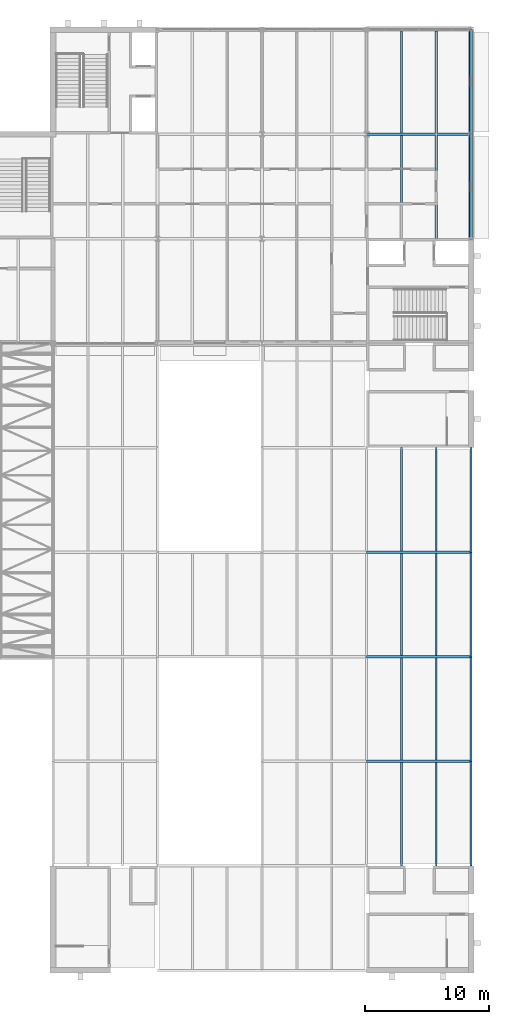
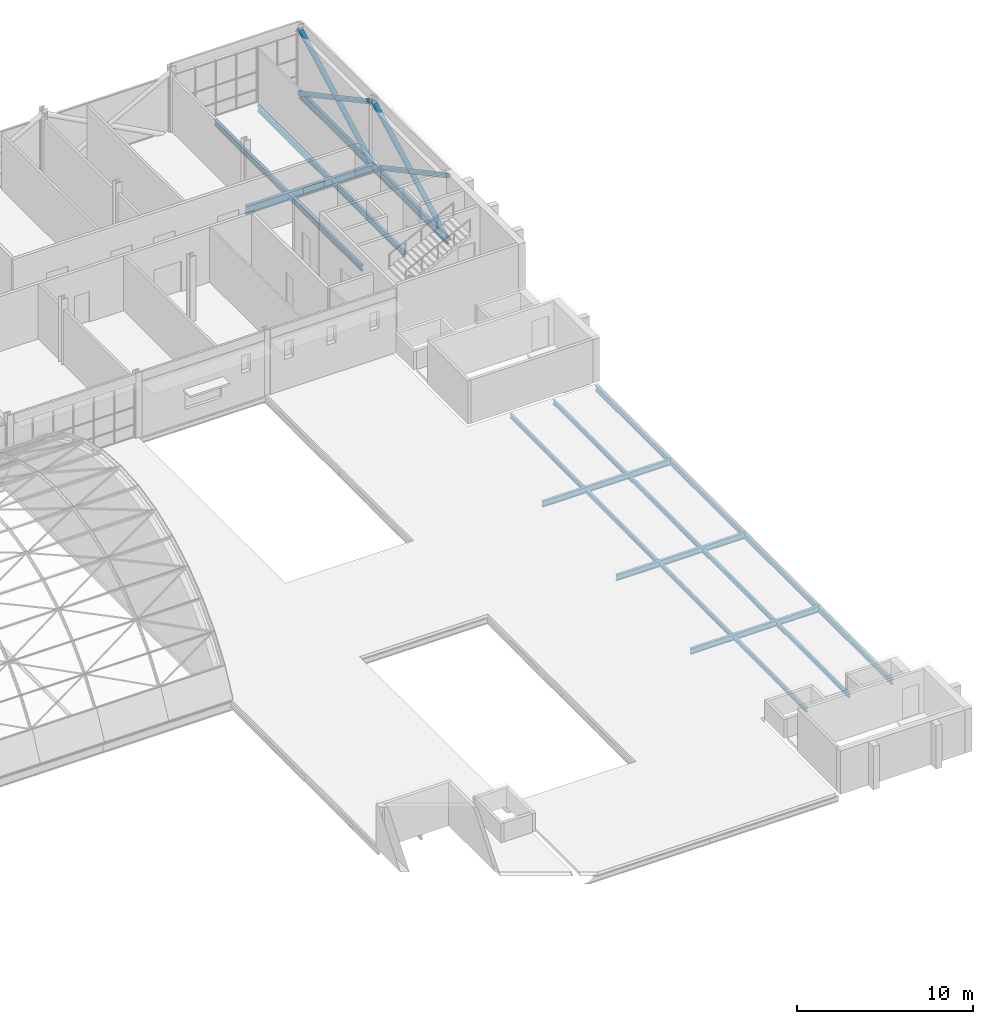
# One storey, part 64 of 121: 22 beams, 6 members.
"""IFC4 building model written with IfcOpenShell, lengths in metres."""

from ifc_helpers import new_model, si_unit, direction, frame, origin, origin_2d, place, context, subcontext, project, spatial, hollow_circle, i_section, extrude, material, material_profile, profile_set, type_object, element, save


model = new_model("IFC4")

# Units and contexts
model_context = context("Model", 3, precision=1e-05, world=origin(), true_north=direction((0.0, 1.0)))
body_context = subcontext(model_context, "Body", "Model", "MODEL_VIEW")
ifc_project = project(units=[si_unit("LENGTHUNIT", "METRE"), si_unit("AREAUNIT", "SQUARE_METRE"), si_unit("VOLUMEUNIT", "CUBIC_METRE"), si_unit("PLANEANGLEUNIT", "RADIAN"), si_unit("MASSUNIT", "GRAM", prefix="KILO")], contexts=[model_context])

# Site, building, storey
site_placement = place(None, origin())
site = spatial("IfcSite", under=ifc_project, at=site_placement, CompositionType="ELEMENT")
building_placement = place(site_placement, origin())
building = spatial("IfcBuilding", under=site, at=building_placement, Name="Ardhachandra Cancer Care Centre", CompositionType="ELEMENT")
storey_placement = place(building_placement, frame((0.0, 0.0, 9.0)))
storey = spatial("IfcBuildingStorey", under=building, at=storey_placement, Name="L02", CompositionType="ELEMENT", Elevation=9.0)

# Beams
ifc_material_1 = material(Name="Steel E350 (IS 2062)", Category="steel")
ifc_material_profile_1 = material_profile(ifc_material_1, i_section(OverallWidth=0.152099609375, OverallDepth=0.303955078125, WebThickness=0.008056640625, FlangeThickness=0.0126953125, FilletRadius=0.014892578125, at=origin_2d()), Name="NPB 300x150x49.32")
ifc_profile_set_1 = profile_set([ifc_material_profile_1], Name="Steel E350 (IS 2062)")
beam_type_1 = type_object("IfcBeamType", Name="Beam NPB 300x150x49.32", PredefinedType="BEAM", material=ifc_profile_set_1)
beam_1_placement = place(storey_placement, frame((139.60009765625, 37.800048828125, -0.35205078125), z_axis=(0.0, 1.0, 0.0), x_axis=(-1.0, 0.0, 0.0)))
element("IfcBeam", 1, at=beam_1_placement, inside=storey, type_object=beam_type_1, Name="Secondary D16-E16@2800", PredefinedType="BEAM", context=body_context, shape_type="SweptSolid", body=[
    extrude(i_section(OverallWidth=0.152099609375, OverallDepth=0.303955078125, WebThickness=0.008056640625, FlangeThickness=0.0126953125, FilletRadius=0.014892578125, at=origin_2d()), origin(), (0.0, 0.0, 1.0), 8.31005859375),
])
for number, where, z_axis, x_axis, name in (
    (2, (139.60009765625, 46.2900390625, -0.35205078125), (0.0, 1.0, 0.0), (-1.0, 0.0, 0.0), "Secondary E16-F16@2800"),
    (3, (139.60009765625, 54.68994140625, -0.35205078125), (0.0, 1.0, 0.0), (-1.0, 0.0, 0.0), "Secondary F16-G16@2800"),
):
    element("IfcBeam", number, at=place(storey_placement, frame(where, z_axis=z_axis, x_axis=x_axis)), inside=storey, type_object=beam_type_1, Name=name, PredefinedType="BEAM", context=body_context, shape_type="SweptSolid", body=[
        extrude(i_section(OverallWidth=0.152099609375, OverallDepth=0.303955078125, WebThickness=0.008056640625, FlangeThickness=0.0126953125, FilletRadius=0.014892578125, at=origin_2d()), origin(), (0.0, 0.0, 1.0), 8.219970703125),
    ])
beam_2_placement = place(storey_placement, frame((139.60009765625, 63.090087890625, -0.35205078125), z_axis=(0.0, 1.0, 0.0), x_axis=(-1.0, 0.0, 0.0)))
element("IfcBeam", 4, at=beam_2_placement, inside=storey, type_object=beam_type_1, Name="Secondary G16-H16@2800", PredefinedType="BEAM", context=body_context, shape_type="SweptSolid", body=[
    extrude(i_section(OverallWidth=0.152099609375, OverallDepth=0.303955078125, WebThickness=0.008056640625, FlangeThickness=0.0126953125, FilletRadius=0.014892578125, at=origin_2d()), origin(), (0.0, 0.0, 1.0), 8.309814453125),
])
beam_3_placement = place(storey_placement, frame((142.39990234375, 37.800048828125, -0.35205078125), z_axis=(0.0, 1.0, 0.0), x_axis=(-1.0, 0.0, 0.0)))
element("IfcBeam", 5, at=beam_3_placement, inside=storey, type_object=beam_type_1, Name="Secondary D16-E16@5600", PredefinedType="BEAM", context=body_context, shape_type="SweptSolid", body=[
    extrude(i_section(OverallWidth=0.152099609375, OverallDepth=0.303955078125, WebThickness=0.008056640625, FlangeThickness=0.0126953125, FilletRadius=0.014892578125, at=origin_2d()), origin(), (0.0, 0.0, 1.0), 8.31005859375),
])
for number, where, z_axis, x_axis, name in (
    (6, (142.39990234375, 46.2900390625, -0.35205078125), (0.0, 1.0, 0.0), (-1.0, 0.0, 0.0), "Secondary E16-F16@5600"),
    (7, (142.39990234375, 54.68994140625, -0.35205078125), (0.0, 1.0, 0.0), (-1.0, 0.0, 0.0), "Secondary F16-G16@5600"),
):
    element("IfcBeam", number, at=place(storey_placement, frame(where, z_axis=z_axis, x_axis=x_axis)), inside=storey, type_object=beam_type_1, Name=name, PredefinedType="BEAM", context=body_context, shape_type="SweptSolid", body=[
        extrude(i_section(OverallWidth=0.152099609375, OverallDepth=0.303955078125, WebThickness=0.008056640625, FlangeThickness=0.0126953125, FilletRadius=0.014892578125, at=origin_2d()), origin(), (0.0, 0.0, 1.0), 8.219970703125),
    ])
beam_4_placement = place(storey_placement, frame((142.39990234375, 63.090087890625, -0.35205078125), z_axis=(0.0, 1.0, 0.0), x_axis=(-1.0, 0.0, 0.0)))
element("IfcBeam", 8, at=beam_4_placement, inside=storey, type_object=beam_type_1, Name="Secondary G16-H16@5600", PredefinedType="BEAM", context=body_context, shape_type="SweptSolid", body=[
    extrude(i_section(OverallWidth=0.152099609375, OverallDepth=0.303955078125, WebThickness=0.008056640625, FlangeThickness=0.0126953125, FilletRadius=0.014892578125, at=origin_2d()), origin(), (0.0, 0.0, 1.0), 8.309814453125),
])
ifc_material_2 = material(Name="Steel E350 (IS 2062)", Category="steel")
ifc_material_profile_2 = material_profile(ifc_material_2, i_section(OverallWidth=0.172119140625, OverallDepth=0.364013671875, WebThickness=0.00927734375, FlangeThickness=0.0146484375, FilletRadius=0.01806640625, at=origin_2d()), Name="NPB 350x170x66.04")
ifc_profile_set_2 = profile_set([ifc_material_profile_2], Name="Steel E350 (IS 2062)")
beam_type_2 = type_object("IfcBeamType", Name="Beam NPB 350x170x66.04", PredefinedType="BEAM", material=ifc_profile_set_2)
beam_5_placement = place(storey_placement, frame((145.199951171875, 37.800048828125, -0.382080078125), z_axis=(0.0, 1.0, 0.0), x_axis=(-1.0, 0.0, 0.0)))
element("IfcBeam", 9, at=beam_5_placement, inside=storey, type_object=beam_type_2, Name="Edge girder D17-E17", PredefinedType="BEAM", context=body_context, shape_type="SweptSolid", body=[
    extrude(i_section(OverallWidth=0.172119140625, OverallDepth=0.364013671875, WebThickness=0.00927734375, FlangeThickness=0.0146484375, FilletRadius=0.01806640625, at=origin_2d()), origin(), (0.0, 0.0, 1.0), 8.39990234375),
])
beam_6_placement = place(storey_placement, frame((145.199951171875, 46.199951171875, -0.382080078125), z_axis=(0.0, 1.0, 0.0), x_axis=(-1.0, 0.0, 0.0)))
element("IfcBeam", 10, at=beam_6_placement, inside=storey, type_object=beam_type_2, Name="Edge girder E17-F17", PredefinedType="BEAM", context=body_context, shape_type="SweptSolid", body=[
    extrude(i_section(OverallWidth=0.172119140625, OverallDepth=0.364013671875, WebThickness=0.00927734375, FlangeThickness=0.0146484375, FilletRadius=0.01806640625, at=origin_2d()), origin(), (0.0, 0.0, 1.0), 8.400146484375),
])
for number, where, z_axis, x_axis, name in (
    (11, (145.199951171875, 54.60009765625, -0.382080078125), (0.0, 1.0, 0.0), (-1.0, 0.0, 0.0), "Edge girder F17-G17"),
    (12, (145.199951171875, 63.0, -0.382080078125), (0.0, 1.0, 0.0), (-1.0, 0.0, 0.0), "Edge girder G17-H17"),
):
    element("IfcBeam", number, at=place(storey_placement, frame(where, z_axis=z_axis, x_axis=x_axis)), inside=storey, type_object=beam_type_2, Name=name, PredefinedType="BEAM", context=body_context, shape_type="SweptSolid", body=[
        extrude(i_section(OverallWidth=0.172119140625, OverallDepth=0.364013671875, WebThickness=0.00927734375, FlangeThickness=0.0146484375, FilletRadius=0.01806640625, at=origin_2d()), origin(), (0.0, 0.0, 1.0), 8.39990234375),
    ])
ifc_material_3 = material(Name="Steel E350 (IS 2062)", Category="steel")
ifc_material_profile_3 = material_profile(ifc_material_3, i_section(OverallWidth=0.179931640625, OverallDepth=0.39990234375, WebThickness=0.008544921875, FlangeThickness=0.013427734375, FilletRadius=0.02099609375, at=origin_2d()), Name="NPB 400x180x66.30")
ifc_profile_set_3 = profile_set([ifc_material_profile_3], Name="Steel E350 (IS 2062)")
beam_type_3 = type_object("IfcBeamType", Name="Beam NPB 400x180x66.30", PredefinedType="BEAM", material=ifc_profile_set_3)
for number, where, z_axis, x_axis, name in (
    (13, (136.800048828125, 46.199951171875, -0.39990234375), (1.0, 0.0, 0.0), (0.0, 1.0, 0.0), "Girder E16-E17"),
    (14, (136.800048828125, 54.60009765625, -0.39990234375), (1.0, 0.0, 0.0), (0.0, 1.0, 0.0), "Girder F16-F17"),
    (15, (136.800048828125, 63.0, -0.39990234375), (1.0, 0.0, 0.0), (0.0, 1.0, 0.0), "Girder G16-G17"),
):
    element("IfcBeam", number, at=place(storey_placement, frame(where, z_axis=z_axis, x_axis=x_axis)), inside=storey, type_object=beam_type_3, Name=name, PredefinedType="BEAM", context=body_context, shape_type="SweptSolid", body=[
        extrude(i_section(OverallWidth=0.179931640625, OverallDepth=0.39990234375, WebThickness=0.008544921875, FlangeThickness=0.013427734375, FilletRadius=0.02099609375, at=origin_2d()), origin(), (0.0, 0.0, 1.0), 8.39990234375),
    ])
beam_7_placement = place(storey_placement, frame((139.60009765625, 88.199951171875, -0.35009765625), z_axis=(0.0, 1.0, 0.0), x_axis=(-1.0, 0.0, 0.0)))
element("IfcBeam", 16, at=beam_7_placement, inside=storey, type_object=beam_type_3, Name="Secondary K16-L16@2800", PredefinedType="BEAM", context=body_context, shape_type="SweptSolid", body=[
    extrude(i_section(OverallWidth=0.179931640625, OverallDepth=0.39990234375, WebThickness=0.008544921875, FlangeThickness=0.013427734375, FilletRadius=0.02099609375, at=origin_2d()), origin(), (0.0, 0.0, 1.0), 8.295166015625),
])
beam_8_placement = place(storey_placement, frame((139.60009765625, 96.705078125, -0.35009765625), z_axis=(0.0, 1.0, 0.0), x_axis=(-1.0, 0.0, 0.0)))
element("IfcBeam", 17, at=beam_8_placement, inside=storey, type_object=beam_type_3, Name="Secondary L16-M16@2800", PredefinedType="BEAM", context=body_context, shape_type="SweptSolid", body=[
    extrude(i_section(OverallWidth=0.179931640625, OverallDepth=0.39990234375, WebThickness=0.008544921875, FlangeThickness=0.013427734375, FilletRadius=0.02099609375, at=origin_2d()), origin(), (0.0, 0.0, 1.0), 8.19482421875),
])
beam_9_placement = place(storey_placement, frame((142.39990234375, 88.199951171875, -0.35009765625), z_axis=(0.0, 1.0, 0.0), x_axis=(-1.0, 0.0, 0.0)))
element("IfcBeam", 18, at=beam_9_placement, inside=storey, type_object=beam_type_3, Name="Secondary K16-L16@5600", PredefinedType="BEAM", context=body_context, shape_type="SweptSolid", body=[
    extrude(i_section(OverallWidth=0.179931640625, OverallDepth=0.39990234375, WebThickness=0.008544921875, FlangeThickness=0.013427734375, FilletRadius=0.02099609375, at=origin_2d()), origin(), (0.0, 0.0, 1.0), 8.295166015625),
])
beam_10_placement = place(storey_placement, frame((142.39990234375, 96.705078125, -0.35009765625), z_axis=(0.0, 1.0, 0.0), x_axis=(-1.0, 0.0, 0.0)))
element("IfcBeam", 19, at=beam_10_placement, inside=storey, type_object=beam_type_3, Name="Secondary L16-M16@5600", PredefinedType="BEAM", context=body_context, shape_type="SweptSolid", body=[
    extrude(i_section(OverallWidth=0.179931640625, OverallDepth=0.39990234375, WebThickness=0.008544921875, FlangeThickness=0.013427734375, FilletRadius=0.02099609375, at=origin_2d()), origin(), (0.0, 0.0, 1.0), 8.19482421875),
])
ifc_material_4 = material(Name="Steel E350 (IS 2062)", Category="steel")
ifc_material_profile_4 = material_profile(ifc_material_4, i_section(OverallWidth=0.199951171875, OverallDepth=0.5, WebThickness=0.01025390625, FlangeThickness=0.01611328125, FilletRadius=0.02099609375, at=origin_2d()), Name="NPB 500x200x90.68")
ifc_profile_set_4 = profile_set([ifc_material_profile_4], Name="Steel E350 (IS 2062)")
beam_type_4 = type_object("IfcBeamType", Name="Beam NPB 500x200x90.68", PredefinedType="BEAM", material=ifc_profile_set_4)
beam_11_placement = place(storey_placement, frame((145.199951171875, 88.199951171875, -0.39990234375), z_axis=(0.0, 1.0, 0.0), x_axis=(-1.0, 0.0, 0.0)))
element("IfcBeam", 20, at=beam_11_placement, inside=storey, type_object=beam_type_4, Name="Edge girder K17-L17", PredefinedType="BEAM", context=body_context, shape_type="SweptSolid", body=[
    extrude(i_section(OverallWidth=0.199951171875, OverallDepth=0.5, WebThickness=0.01025390625, FlangeThickness=0.01611328125, FilletRadius=0.02099609375, at=origin_2d()), origin(), (0.0, 0.0, 1.0), 8.400146484375),
])
beam_12_placement = place(storey_placement, frame((145.199951171875, 96.60009765625, -0.39990234375), z_axis=(0.0, 1.0, 0.0), x_axis=(-1.0, 0.0, 0.0)))
element("IfcBeam", 21, at=beam_12_placement, inside=storey, type_object=beam_type_4, Name="Edge girder L17-M17", PredefinedType="BEAM", context=body_context, shape_type="SweptSolid", body=[
    extrude(i_section(OverallWidth=0.199951171875, OverallDepth=0.5, WebThickness=0.01025390625, FlangeThickness=0.01611328125, FilletRadius=0.02099609375, at=origin_2d()), origin(), (0.0, 0.0, 1.0), 8.39990234375),
])
ifc_material_5 = material(Name="Steel E350 (IS 2062)", Category="steel")
ifc_material_profile_5 = material_profile(ifc_material_5, i_section(OverallWidth=0.2099609375, OverallDepth=0.550048828125, WebThickness=0.010986328125, FlangeThickness=0.01708984375, FilletRadius=0.02392578125, at=origin_2d()), Name="NPB 550x210x105.52")
ifc_profile_set_5 = profile_set([ifc_material_profile_5], Name="Steel E350 (IS 2062)")
beam_type_5 = type_object("IfcBeamType", Name="Beam NPB 550x210x105.52", PredefinedType="BEAM", material=ifc_profile_set_5)
beam_13_placement = place(storey_placement, frame((136.800048828125, 96.60009765625, -0.425048828125), z_axis=(1.0, 0.0, 0.0), x_axis=(0.0, 1.0, 0.0)))
element("IfcBeam", 22, at=beam_13_placement, inside=storey, type_object=beam_type_5, Name="Girder L16-L17", PredefinedType="BEAM", context=body_context, shape_type="SweptSolid", body=[
    extrude(i_section(OverallWidth=0.2099609375, OverallDepth=0.550048828125, WebThickness=0.010986328125, FlangeThickness=0.01708984375, FilletRadius=0.02392578125, at=origin_2d()), origin(), (0.0, 0.0, 1.0), 8.39990234375),
])

# Members
ifc_material_6 = material(Name="Steel E350 (IS 2062)", Category="steel")
ifc_material_profile_6 = material_profile(ifc_material_6, hollow_circle(Radius=0.161865234375, WallThickness=0.012451171875, at=origin_2d()), Name="CHS 323.9x12.5")
ifc_profile_set_6 = profile_set([ifc_material_profile_6], Name="Steel E350 (IS 2062)")
member_type = type_object("IfcMemberType", Name="Brace CHS 323.9x12.5", PredefinedType="BRACE", material=ifc_profile_set_6)
member_1_placement = place(storey_placement, frame((145.199951171875, 88.199951171875, -0.39990234375), z_axis=(0.0, 0.881483397762, 0.472215014025), x_axis=(-1.0, 0.0, 0.0)))
element("IfcMember", 23, at=member_1_placement, inside=storey, type_object=member_type, Name="Brace V5-Y1452-882 L02 A", PredefinedType="BRACE", context=body_context, shape_type="SweptSolid", body=[
    extrude(hollow_circle(Radius=0.161865234375, WallThickness=0.012451171875, at=origin_2d()), origin(), (0.0, 0.0, 1.0), 9.529541015625),
])
member_2_placement = place(storey_placement, frame((145.199951171875, 96.60009765625, -0.39990234375), z_axis=(0.0, -0.881489110341, 0.472204350203), x_axis=(1.0, 0.0, 0.0)))
element("IfcMember", 24, at=member_2_placement, inside=storey, type_object=member_type, Name="Brace V5-Y1452-882 L02 B1", PredefinedType="BRACE", context=body_context, shape_type="SweptSolid", body=[
    extrude(hollow_circle(Radius=0.161865234375, WallThickness=0.012451171875, at=origin_2d()), origin(), (0.0, 0.0, 1.0), 4.764892578125),
])
member_3_placement = place(storey_placement, frame((145.199951171875, 92.39990234375, 1.85009765625), z_axis=(0.0, -0.881477684796, 0.472225678258), x_axis=(1.0, 0.0, 0.0)))
element("IfcMember", 25, at=member_3_placement, inside=storey, type_object=member_type, Name="Brace V5-Y1452-882 L02 B2", PredefinedType="BRACE", context=body_context, shape_type="SweptSolid", body=[
    extrude(hollow_circle(Radius=0.161865234375, WallThickness=0.012451171875, at=origin_2d()), origin(), (0.0, 0.0, 1.0), 4.7646484375),
])
member_4_placement = place(storey_placement, frame((145.199951171875, 96.60009765625, -0.39990234375), z_axis=(0.0, 0.881477684796, 0.472225678258), x_axis=(-1.0, 0.0, 0.0)))
element("IfcMember", 26, at=member_4_placement, inside=storey, type_object=member_type, Name="Brace V5-Y1452-966 L02 A", PredefinedType="BRACE", context=body_context, shape_type="SweptSolid", body=[
    extrude(hollow_circle(Radius=0.161865234375, WallThickness=0.012451171875, at=origin_2d()), origin(), (0.0, 0.0, 1.0), 9.529296875),
])
for number, where, z_axis, x_axis, name in (
    (27, (145.199951171875, 105.0, -0.39990234375), (0.0, -0.881477684796, 0.472225678258), (1.0, 0.0, 0.0), "Brace V5-Y1452-966 L02 B1"),
    (28, (145.199951171875, 100.800048828125, 1.85009765625), (0.0, -0.881477684796, 0.472225678258), (1.0, 0.0, 0.0), "Brace V5-Y1452-966 L02 B2"),
):
    element("IfcMember", number, at=place(storey_placement, frame(where, z_axis=z_axis, x_axis=x_axis)), inside=storey, type_object=member_type, Name=name, PredefinedType="BRACE", context=body_context, shape_type="SweptSolid", body=[
        extrude(hollow_circle(Radius=0.161865234375, WallThickness=0.012451171875, at=origin_2d()), origin(), (0.0, 0.0, 1.0), 4.7646484375),
    ])

save(model, "model.ifc")
